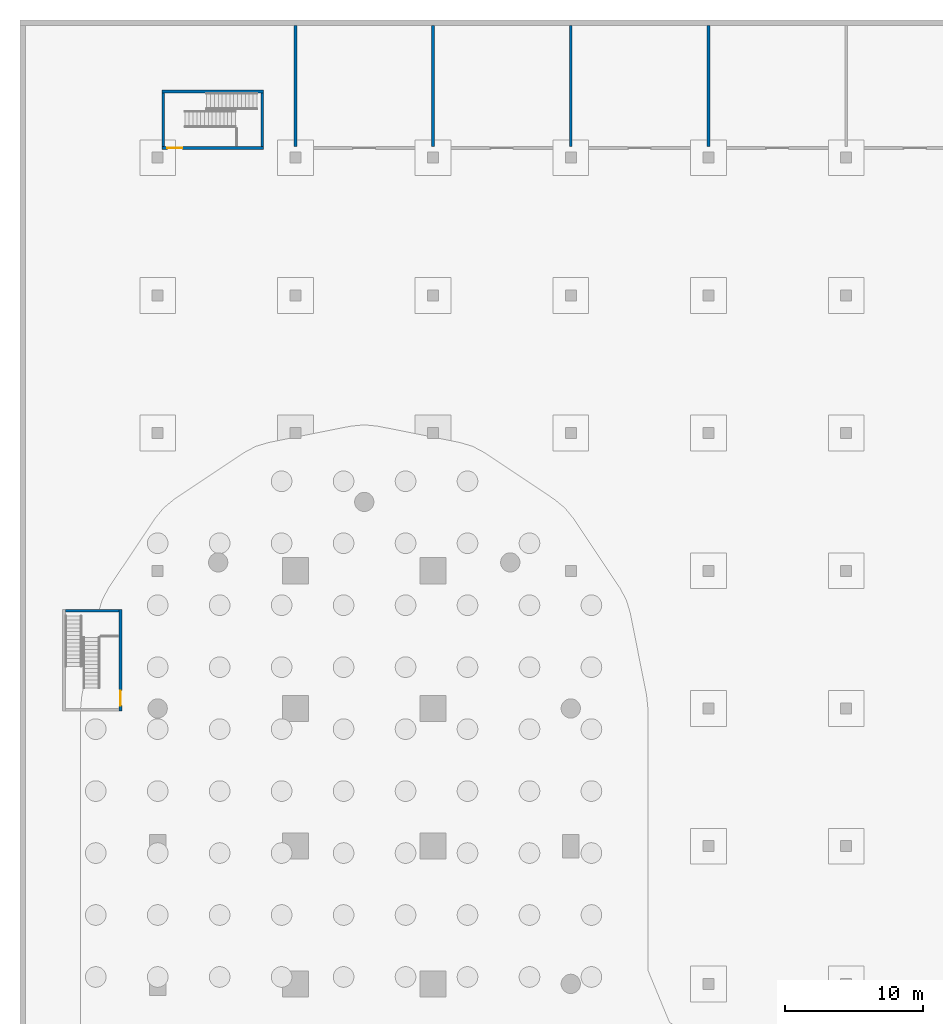
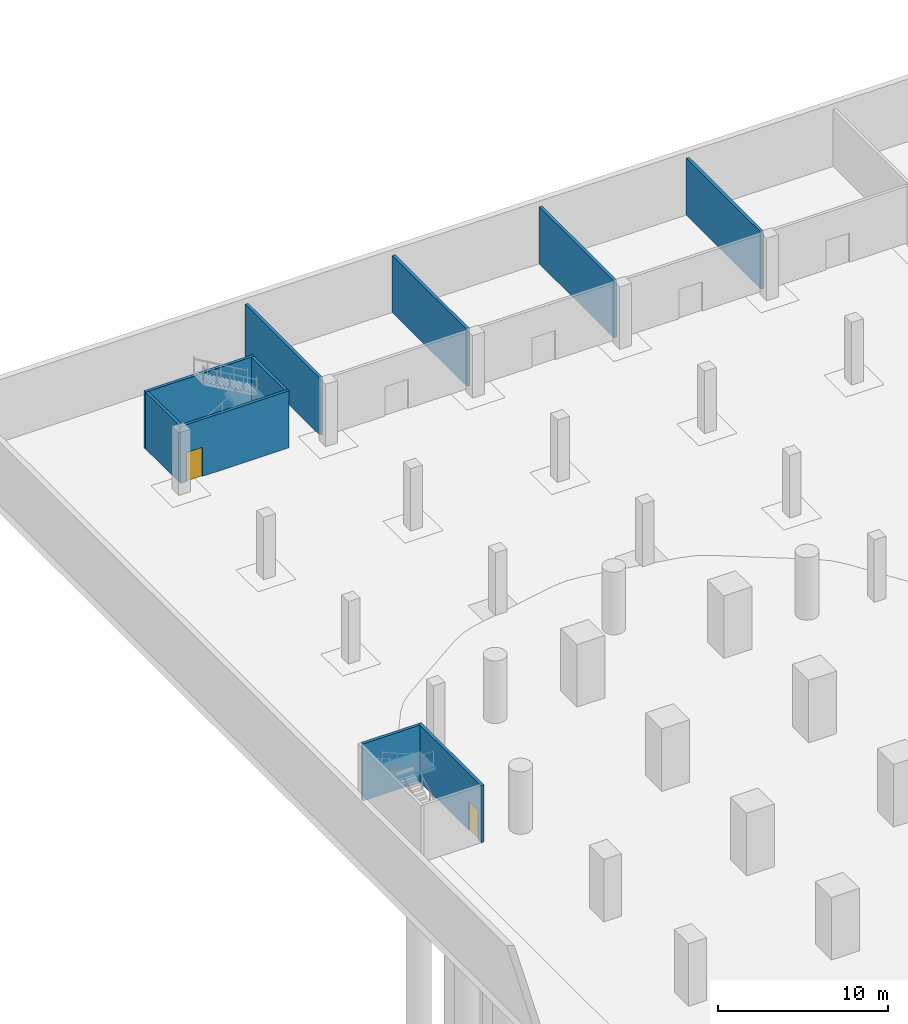
# One storey, part 12 of 19: 10 walls, 2 doors, 2 openings.
"""IFC4 building model written with IfcOpenShell, lengths in metres."""

from ifc_helpers import new_model, si_unit, direction, frame, frame_2d, origin, place, context, subcontext, project, spatial, rectangle, extrude, material, layer, layer_set, type_object, element, fill, save


model = new_model("IFC4")

# Units and contexts
model_context = context("Model", 3, precision=1e-05, world=origin(), true_north=direction((0.0, 1.0)))
body_context = subcontext(model_context, "Body", "Model", "MODEL_VIEW")
ifc_project = project(units=[si_unit("LENGTHUNIT", "METRE"), si_unit("AREAUNIT", "SQUARE_METRE"), si_unit("VOLUMEUNIT", "CUBIC_METRE"), si_unit("PLANEANGLEUNIT", "RADIAN"), si_unit("MASSUNIT", "GRAM", prefix="KILO")], contexts=[model_context])

# Site, building, storey
site_placement = place(None, origin())
site = spatial("IfcSite", under=ifc_project, at=site_placement, CompositionType="ELEMENT")
building_placement = place(site_placement, origin())
building = spatial("IfcBuilding", under=site, at=building_placement, Name="Qaws Garden Tower", CompositionType="ELEMENT")
storey_placement = place(building_placement, frame((0.0, 0.0, -9.0)))
storey = spatial("IfcBuildingStorey", under=building, at=storey_placement, Name="B2", CompositionType="ELEMENT", Elevation=-9.0)

# Walls
ifc_material_1 = material(Name="Blockwork", Category="masonry")
ifc_layer_1 = layer(ifc_material_1, 0.199951171875)
ifc_layer_set_1 = layer_set([ifc_layer_1], Name="Blockwork")
wall_type_1 = type_object("IfcWallType", Name="Plant room wall 200", PredefinedType="PARTITIONING", material=ifc_layer_set_1)
for number, where, z_axis, x_axis, name in (
    (1, (10.0, 100.800048828125, 0.0), (0.0, 0.0, 1.0), (0.0, 1.0, 0.0), "Plant room partition"),
    (2, (20.0, 100.800048828125, 0.0), (0.0, 0.0, 1.0), (0.0, 1.0, 0.0), "Plant room partition"),
    (3, (30.0, 100.800048828125, 0.0), (0.0, 0.0, 1.0), (0.0, 1.0, 0.0), "Plant room partition"),
    (4, (40.0, 100.800048828125, 0.0), (0.0, 0.0, 1.0), (0.0, 1.0, 0.0), "Plant room partition"),
):
    element("IfcWall", number, at=place(storey_placement, frame(where, z_axis=z_axis, x_axis=x_axis)), inside=storey, type_object=wall_type_1, Name=name, PredefinedType="PARTITIONING", context=body_context, shape_type="SweptSolid", body=[
        extrude(rectangle(XDim=8.800048828125, YDim=0.199951171875, at=frame_2d((4.39990234375, 0.0))), origin(), (0.0, 0.0, 1.0), 4.10009765625),
    ])

# Wall, opening, door
ifc_material_2 = material(Name="Concrete C40", Category="concrete")
ifc_layer_2 = layer(ifc_material_2, 0.199951171875)
ifc_layer_set_2 = layer_set([ifc_layer_2], Name="Concrete C40")
wall_type_2 = type_object("IfcWallType", Name="Stair enclosure wall 200", PredefinedType="SOLIDWALL", material=ifc_layer_set_2)
wall_1_placement = place(storey_placement, frame((0.300048828125, 100.699951171875, 0.0), z_axis=(0.0, 0.0, 1.0), x_axis=(1.0, 0.0, 0.0)))
wall_1 = element("IfcWall", 5, at=wall_1_placement, inside=storey, type_object=wall_type_2, Name="Stair N1 enclosure wall", PredefinedType="SOLIDWALL", context=body_context, shape_type="SweptSolid", body=[
    extrude(rectangle(XDim=7.39990234375, YDim=0.199951171875, at=frame_2d((3.699951171875, 0.0))), origin(), (0.0, 0.0, 1.0), 4.10009765625),
])
opening_1_placement = place(wall_1_placement, frame((0.39990234375, 0.0, 0.0)))
opening_1 = element("IfcOpeningElement", 6, at=opening_1_placement, cuts=wall_1, Name="Opening PD4-01", PredefinedType="OPENING", context=body_context, shape_type="SweptSolid", body=[
    extrude(rectangle(XDim=1.10009765625, YDim=2.10009765625, at=frame_2d((0.550048828125, 1.050048828125))), frame((0.0, 0.10986328125, 0.0), z_axis=(0.0, -1.0, 0.0), x_axis=(1.0, 0.0, 0.0)), (0.0, 0.0, 1.0), 0.219970703125),
])
ifc_material_3 = material(Name="Steel S235 framed door leaf", Category="steel")
door_type = type_object("IfcDoorType", Name="Door D4 fire stair 1100", OperationType="SINGLE_SWING_LEFT", PredefinedType="DOOR", material=ifc_material_3)
door_1_placement = place(opening_1_placement, origin())
door_1 = element("IfcDoor", 7, at=door_1_placement, inside=storey, type_object=door_type, Name="Exit stair door", OperationType="SINGLE_SWING_LEFT", OverallHeight=2.10009765625, OverallWidth=1.10009765625, PredefinedType="DOOR", context=body_context, shape_type="SweptSolid", body=[
    extrude(rectangle(XDim=1.10009765625, YDim=2.10009765625, at=frame_2d((0.550048828125, 1.050048828125))), frame((0.0, 0.02490234375, 0.0), z_axis=(0.0, -1.0, 0.0), x_axis=(1.0, 0.0, 0.0)), (0.0, 0.0, 1.0), 0.050048828125),
])
fill(opening_1, door_1)

# Walls
wall_2_placement = place(storey_placement, frame((0.300048828125, 104.800048828125, 0.0), z_axis=(0.0, 0.0, 1.0), x_axis=(1.0, 0.0, 0.0)))
element("IfcWall", 8, at=wall_2_placement, inside=storey, type_object=wall_type_2, Name="Stair N1 enclosure wall", PredefinedType="SOLIDWALL", context=body_context, shape_type="SweptSolid", body=[
    extrude(rectangle(XDim=7.39990234375, YDim=0.199951171875, at=frame_2d((3.699951171875, 0.0))), origin(), (0.0, 0.0, 1.0), 4.10009765625),
])
for number, where, z_axis, x_axis, name in (
    (9, (0.39990234375, 100.800048828125, 0.0), (0.0, 0.0, 1.0), (0.0, 1.0, 0.0), "Stair N1 enclosure wall"),
    (10, (7.60009765625, 100.800048828125, 0.0), (0.0, 0.0, 1.0), (0.0, 1.0, 0.0), "Stair N1 enclosure wall"),
):
    element("IfcWall", number, at=place(storey_placement, frame(where, z_axis=z_axis, x_axis=x_axis)), inside=storey, type_object=wall_type_2, Name=name, PredefinedType="SOLIDWALL", context=body_context, shape_type="SweptSolid", body=[
        extrude(rectangle(XDim=3.89990234375, YDim=0.199951171875, at=frame_2d((1.949951171875, 0.0))), origin(), (0.0, 0.0, 1.0), 4.10009765625),
    ])

# Wall, opening, door
wall_3_placement = place(storey_placement, frame((-2.699951171875, 59.800048828125, 0.0), z_axis=(0.0, 0.0, 1.0), x_axis=(0.0, 1.0, 0.0)))
wall_3 = element("IfcWall", 11, at=wall_3_placement, inside=storey, type_object=wall_type_2, Name="Stair W1 enclosure wall", PredefinedType="SOLIDWALL", context=body_context, shape_type="SweptSolid", body=[
    extrude(rectangle(XDim=7.39990234375, YDim=0.199951171875, at=frame_2d((3.699951171875, 0.0))), origin(), (0.0, 0.0, 1.0), 4.10009765625),
])
opening_2_placement = place(wall_3_placement, frame((0.39990234375, 0.0, 0.0)))
opening_2 = element("IfcOpeningElement", 12, at=opening_2_placement, cuts=wall_3, Name="Opening PD4-04", PredefinedType="OPENING", context=body_context, shape_type="SweptSolid", body=[
    extrude(rectangle(XDim=1.10009765625, YDim=2.10009765625, at=frame_2d((0.550048828125, 1.050048828125))), frame((0.0, 0.10986328125, 0.0), z_axis=(0.0, -1.0, 0.0), x_axis=(1.0, 0.0, 0.0)), (0.0, 0.0, 1.0), 0.219970703125),
])
door_2_placement = place(opening_2_placement, origin())
door_2 = element("IfcDoor", 13, at=door_2_placement, inside=storey, type_object=door_type, Name="Exit stair door", OperationType="SINGLE_SWING_LEFT", OverallHeight=2.10009765625, OverallWidth=1.10009765625, PredefinedType="DOOR", context=body_context, shape_type="SweptSolid", body=[
    extrude(rectangle(XDim=1.10009765625, YDim=2.10009765625, at=frame_2d((0.550048828125, 1.050048828125))), frame((0.0, 0.02490234375, 0.0), z_axis=(0.0, -1.0, 0.0), x_axis=(1.0, 0.0, 0.0)), (0.0, 0.0, 1.0), 0.050048828125),
])
fill(opening_2, door_2)

# Wall
wall_4_placement = place(storey_placement, frame((-2.800048828125, 67.10009765625, 0.0), z_axis=(0.0, 0.0, 1.0), x_axis=(-1.0, 0.0, 0.0)))
element("IfcWall", 14, at=wall_4_placement, inside=storey, type_object=wall_type_2, Name="Stair W1 enclosure wall", PredefinedType="SOLIDWALL", context=body_context, shape_type="SweptSolid", body=[
    extrude(rectangle(XDim=3.89990234375, YDim=0.199951171875, at=frame_2d((1.949951171875, 0.0))), origin(), (0.0, 0.0, 1.0), 4.10009765625),
])

save(model, "model.ifc")
